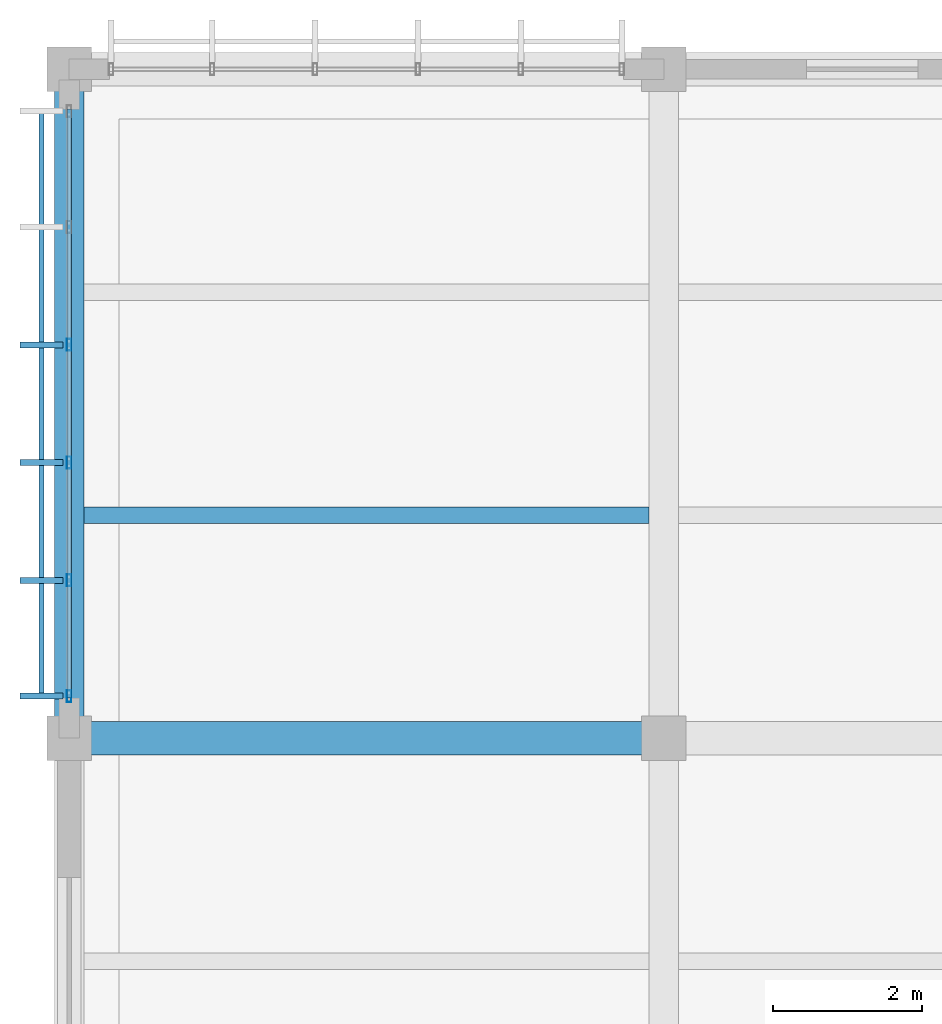
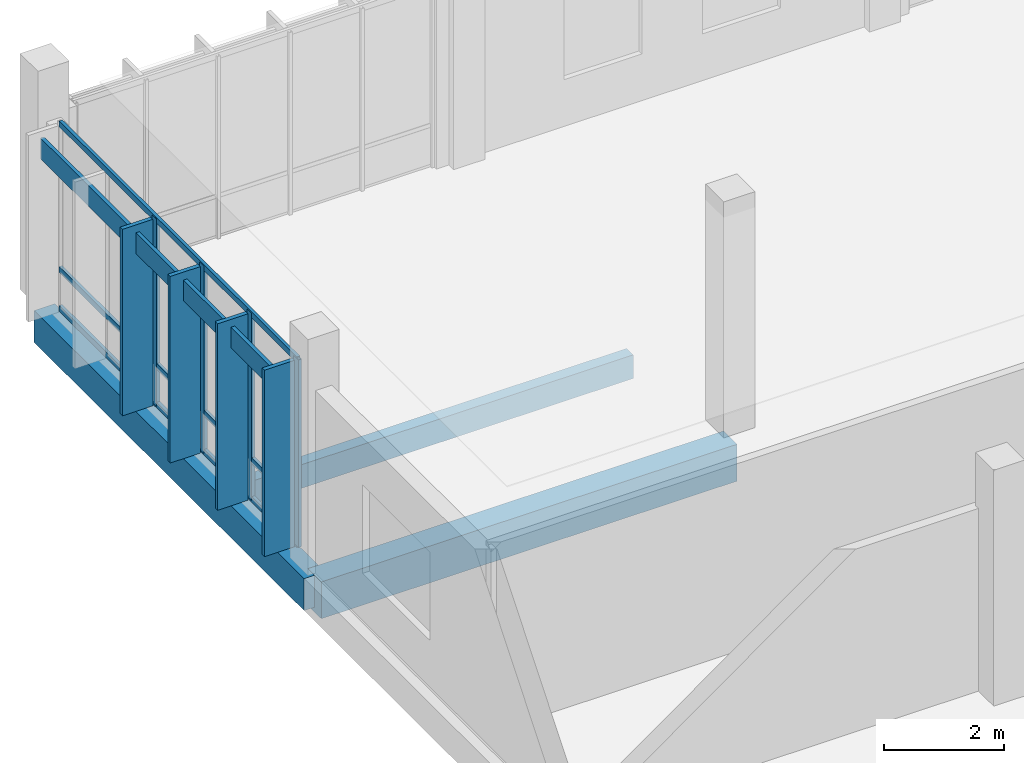
# One storey, part 77 of 177: 12 members, 3 beams, 1 element without a shape of its own.
"""IFC4 building model written with IfcOpenShell, lengths in metres."""

from ifc_helpers import new_model, si_unit, direction, frame, origin, origin_2d, place, context, subcontext, project, spatial, rectangle, hollow_rectangle, extrude, material, material_profile, profile_set, type_object, element, aggregate, save


model = new_model("IFC4")

# Units and contexts
model_context = context("Model", 3, precision=1e-05, world=origin(), true_north=direction((0.0, 1.0)))
body_context = subcontext(model_context, "Body", "Model", "MODEL_VIEW")
ifc_project = project(units=[si_unit("LENGTHUNIT", "METRE"), si_unit("AREAUNIT", "SQUARE_METRE"), si_unit("VOLUMEUNIT", "CUBIC_METRE"), si_unit("PLANEANGLEUNIT", "RADIAN"), si_unit("MASSUNIT", "GRAM", prefix="KILO")], contexts=[model_context])

# Site, building, storey
site_placement = place(None, origin())
site = spatial("IfcSite", under=ifc_project, at=site_placement, CompositionType="ELEMENT")
building_placement = place(site_placement, origin())
building = spatial("IfcBuilding", under=site, at=building_placement, Name="Chiffa Square Polytechnic", CompositionType="ELEMENT")
storey_placement = place(building_placement, frame((0.0, 0.0, 4.800048828125)))
storey = spatial("IfcBuildingStorey", under=building, at=storey_placement, Name="L01", CompositionType="ELEMENT", Elevation=4.800048828125)

# Beams
ifc_material_1 = material(Name="Concrete C35/45", Category="concrete")
ifc_material_profile_1 = material_profile(ifc_material_1, rectangle(XDim=0.39990234375, YDim=0.64990234375, at=origin_2d()), Name="RC 400x650")
ifc_profile_set_1 = profile_set([ifc_material_profile_1], Name="Concrete C35/45")
beam_type_1 = type_object("IfcBeamType", Name="BM-RC-400X650", PredefinedType="BEAM", material=ifc_profile_set_1)
beam_1_placement = place(storey_placement, frame((0.0, 121.800048828125, -0.60498046875), z_axis=(0.0, 1.0, 0.0), x_axis=(-1.0, 0.0, 0.0)))
element("IfcBeam", 1, at=beam_1_placement, inside=storey, type_object=beam_type_1, Name="Primary floor girder BM-V5-L01-Y-0000-1218", PredefinedType="BEAM", context=body_context, shape_type="SweptSolid", body=[
    extrude(rectangle(XDim=0.39990234375, YDim=0.64990234375, at=origin_2d()), origin(), (0.0, 0.0, 1.0), 9.0),
])
ifc_material_profile_2 = material_profile(ifc_material_1, rectangle(XDim=0.449951171875, YDim=0.75, at=origin_2d()), Name="RC 450x750")
ifc_profile_set_2 = profile_set([ifc_material_profile_2], Name="Concrete C35/45")
beam_type_2 = type_object("IfcBeamType", Name="BM-RC-450X750", PredefinedType="BEAM", material=ifc_profile_set_2)
beam_2_placement = place(storey_placement, frame((0.0, 121.800048828125, -0.655029296875), z_axis=(1.0, 0.0, 0.0), x_axis=(0.0, 1.0, 0.0)))
element("IfcBeam", 2, at=beam_2_placement, inside=storey, type_object=beam_type_2, Name="Primary floor girder BM-V5-L01-X-0000-1218", PredefinedType="BEAM", context=body_context, shape_type="SweptSolid", body=[
    extrude(rectangle(XDim=0.449951171875, YDim=0.75, at=origin_2d()), origin(), (0.0, 0.0, 1.0), 8.0),
])

# Curtain wall, members
ifc_material_2 = material(Name="Aluminium EN AW-6060 T66 and glulam shading", Category="wood")
curtain_wall_type = type_object("IfcCurtainWallType", Name="CW-VERT-300X380", PredefinedType="USERDEFINED", material=ifc_material_2)
curtain_wall_placement = place(storey_placement, origin())
curtain_wall = element("IfcCurtainWall", 3, at=curtain_wall_placement, inside=storey, type_object=curtain_wall_type, Name="Curtain wall CW-V5-L01-211", ObjectType="CURTAIN WALL", PredefinedType="USERDEFINED")
ifc_material_3 = material(Name="Aluminium EN AW-6060 T66", Category="aluminium")
ifc_material_profile_3 = material_profile(ifc_material_3, hollow_rectangle(XDim=0.06005859375, YDim=0.159912109375, WallThickness=0.00390625, at=origin_2d()), Name="ALU 60x160x4")
ifc_profile_set_3 = profile_set([ifc_material_profile_3], Name="Aluminium EN AW-6060 T66")
member_type_1 = type_object("IfcMemberType", Name="CWM-ALU-65X150", PredefinedType="MULLION", material=ifc_profile_set_3)
member_1_placement = place(storey_placement, frame((0.0, 127.092041015625, 0.0), z_axis=(0.0, 0.0, 1.0), x_axis=(1.0, 0.0, 0.0)))
member_1 = element("IfcMember", 4, at=member_1_placement, type_object=member_type_1, Name="Curtain wall mullion CW-V5-L01-211-M02", PredefinedType="MULLION", context=body_context, shape_type="SweptSolid", body=[
    extrude(hollow_rectangle(XDim=0.06005859375, YDim=0.159912109375, WallThickness=0.00390625, at=origin_2d()), origin(), (0.0, 0.0, 1.0), 3.81494140625),
])
member_2_placement = place(storey_placement, frame((0.0, 125.508056640625, 0.0), z_axis=(0.0, 0.0, 1.0), x_axis=(1.0, 0.0, 0.0)))
member_2 = element("IfcMember", 5, at=member_2_placement, type_object=member_type_1, Name="Curtain wall mullion CW-V5-L01-211-M03", PredefinedType="MULLION", context=body_context, shape_type="SweptSolid", body=[
    extrude(hollow_rectangle(XDim=0.06005859375, YDim=0.159912109375, WallThickness=0.00390625, at=origin_2d()), origin(), (0.0, 0.0, 1.0), 3.81494140625),
])
member_3_placement = place(storey_placement, frame((0.0, 123.924072265625, 0.0), z_axis=(0.0, 0.0, 1.0), x_axis=(1.0, 0.0, 0.0)))
member_3 = element("IfcMember", 6, at=member_3_placement, type_object=member_type_1, Name="Curtain wall mullion CW-V5-L01-211-M04", PredefinedType="MULLION", context=body_context, shape_type="SweptSolid", body=[
    extrude(hollow_rectangle(XDim=0.06005859375, YDim=0.159912109375, WallThickness=0.00390625, at=origin_2d()), origin(), (0.0, 0.0, 1.0), 3.81494140625),
])
member_4_placement = place(storey_placement, frame((0.0, 122.364990234375, 0.0), z_axis=(0.0, 0.0, 1.0), x_axis=(1.0, 0.0, 0.0)))
member_4 = element("IfcMember", 7, at=member_4_placement, type_object=member_type_1, Name="Curtain wall mullion CW-V5-L01-211-M05", PredefinedType="MULLION", context=body_context, shape_type="SweptSolid", body=[
    extrude(hollow_rectangle(XDim=0.06005859375, YDim=0.159912109375, WallThickness=0.00390625, at=origin_2d()), origin(), (0.0, 0.0, 1.0), 3.81494140625),
])
ifc_material_4 = material(Name="Glulam GL28h", Category="wood")
ifc_material_profile_4 = material_profile(ifc_material_4, rectangle(XDim=0.080078125, YDim=0.580078125, at=origin_2d()), Name="GL28h 80x580")
ifc_profile_set_4 = profile_set([ifc_material_profile_4], Name="Glulam GL28h")
member_type_2 = type_object("IfcMemberType", Name="CWM-GL-80X580", PredefinedType="MULLION", material=ifc_profile_set_4)
member_5_placement = place(storey_placement, frame((-0.3720703125, 127.092041015625, 0.010009765625), z_axis=(0.0, 0.0, 1.0), x_axis=(0.0, -1.0, 0.0)))
member_5 = element("IfcMember", 8, at=member_5_placement, type_object=member_type_2, Name="Exterior glulam solar fin CW-V5-L01-211-FN02", PredefinedType="MULLION", context=body_context, shape_type="SweptSolid", body=[
    extrude(rectangle(XDim=0.080078125, YDim=0.580078125, at=origin_2d()), origin(), (0.0, 0.0, 1.0), 3.794921875),
])
member_6_placement = place(storey_placement, frame((-0.3720703125, 125.508056640625, 0.010009765625), z_axis=(0.0, 0.0, 1.0), x_axis=(0.0, -1.0, 0.0)))
member_6 = element("IfcMember", 9, at=member_6_placement, type_object=member_type_2, Name="Exterior glulam solar fin CW-V5-L01-211-FN03", PredefinedType="MULLION", context=body_context, shape_type="SweptSolid", body=[
    extrude(rectangle(XDim=0.080078125, YDim=0.580078125, at=origin_2d()), origin(), (0.0, 0.0, 1.0), 3.794921875),
])
member_7_placement = place(storey_placement, frame((-0.3720703125, 123.924072265625, 0.010009765625), z_axis=(0.0, 0.0, 1.0), x_axis=(0.0, -1.0, 0.0)))
member_7 = element("IfcMember", 10, at=member_7_placement, type_object=member_type_2, Name="Exterior glulam solar fin CW-V5-L01-211-FN04", PredefinedType="MULLION", context=body_context, shape_type="SweptSolid", body=[
    extrude(rectangle(XDim=0.080078125, YDim=0.580078125, at=origin_2d()), origin(), (0.0, 0.0, 1.0), 3.794921875),
])
member_8_placement = place(storey_placement, frame((-0.3720703125, 122.364990234375, 0.010009765625), z_axis=(0.0, 0.0, 1.0), x_axis=(0.0, -1.0, 0.0)))
member_8 = element("IfcMember", 11, at=member_8_placement, type_object=member_type_2, Name="Exterior glulam solar fin CW-V5-L01-211-FN05", PredefinedType="MULLION", context=body_context, shape_type="SweptSolid", body=[
    extrude(rectangle(XDim=0.080078125, YDim=0.580078125, at=origin_2d()), origin(), (0.0, 0.0, 1.0), 3.794921875),
])
ifc_material_profile_5 = material_profile(ifc_material_3, hollow_rectangle(XDim=0.06005859375, YDim=0.1201171875, WallThickness=0.00390625, at=origin_2d()), Name="ALU 60x120x4")
ifc_profile_set_5 = profile_set([ifc_material_profile_5], Name="Aluminium EN AW-6060 T66")
member_type_3 = type_object("IfcMemberType", Name="CWT-ALU-65X120", PredefinedType="USERDEFINED", material=ifc_profile_set_5)
member_9_placement = place(storey_placement, frame((0.0, 130.261962890625, 0.030029296875), z_axis=(0.0, -1.0, 0.0), x_axis=(1.0, 0.0, 0.0)))
member_9 = element("IfcMember", 12, at=member_9_placement, type_object=member_type_3, Name="Curtain wall transom CW-V5-L01-211-T01", ObjectType="TRANSOM", PredefinedType="USERDEFINED", context=body_context, shape_type="SweptSolid", body=[
    extrude(hollow_rectangle(XDim=0.06005859375, YDim=0.1201171875, WallThickness=0.00390625, at=origin_2d()), origin(), (0.0, 0.0, 1.0), 7.924072265625),
])
member_10_placement = place(storey_placement, frame((0.0, 130.261962890625, 0.820068359375), z_axis=(0.0, -1.0, 0.0), x_axis=(1.0, 0.0, 0.0)))
member_10 = element("IfcMember", 13, at=member_10_placement, type_object=member_type_3, Name="Curtain wall transom CW-V5-L01-211-T02", ObjectType="TRANSOM", PredefinedType="USERDEFINED", context=body_context, shape_type="SweptSolid", body=[
    extrude(hollow_rectangle(XDim=0.06005859375, YDim=0.1201171875, WallThickness=0.00390625, at=origin_2d()), origin(), (0.0, 0.0, 1.0), 7.924072265625),
])
member_11_placement = place(storey_placement, frame((0.0, 130.261962890625, 3.784912109375), z_axis=(0.0, -1.0, 0.0), x_axis=(1.0, 0.0, 0.0)))
member_11 = element("IfcMember", 14, at=member_11_placement, type_object=member_type_3, Name="Curtain wall transom CW-V5-L01-211-T03", ObjectType="TRANSOM", PredefinedType="USERDEFINED", context=body_context, shape_type="SweptSolid", body=[
    extrude(hollow_rectangle(XDim=0.06005859375, YDim=0.1201171875, WallThickness=0.00390625, at=origin_2d()), origin(), (0.0, 0.0, 1.0), 7.924072265625),
])
ifc_material_profile_6 = material_profile(ifc_material_4, rectangle(XDim=0.070068359375, YDim=0.419921875, at=origin_2d()), Name="GL28h 70x420")
ifc_profile_set_6 = profile_set([ifc_material_profile_6], Name="Glulam GL28h")
member_type_4 = type_object("IfcMemberType", Name="CWT-GL-70X420", PredefinedType="USERDEFINED", material=ifc_profile_set_6)
member_12_placement = place(storey_placement, frame((-0.3720703125, 130.235107421875, 3.43505859375), z_axis=(0.0, -1.0, 0.0), x_axis=(1.0, 0.0, 0.0)))
member_12 = element("IfcMember", 15, at=member_12_placement, type_object=member_type_4, Name="Exterior glulam brise-soleil CW-V5-L01-211-BS01", ObjectType="TRANSOM", PredefinedType="USERDEFINED", context=body_context, shape_type="SweptSolid", body=[
    extrude(rectangle(XDim=0.070068359375, YDim=0.419921875, at=origin_2d()), origin(), (0.0, 0.0, 1.0), 7.8701171875),
])
aggregate(curtain_wall, [member_1, member_5, member_2, member_6, member_3, member_7, member_4, member_8, member_9, member_10, member_11, member_12])

# Beam
ifc_material_profile_7 = material_profile(ifc_material_4, rectangle(XDim=0.219970703125, YDim=0.47998046875, at=origin_2d()), Name="GL28h 220x480")
ifc_profile_set_7 = profile_set([ifc_material_profile_7], Name="Glulam GL28h")
beam_type_3 = type_object("IfcBeamType", Name="JST-GL-220X480", PredefinedType="JOIST", material=ifc_profile_set_7)
beam_3_placement = place(storey_placement, frame((0.197998046875, 124.800048828125, -0.52001953125), z_axis=(1.0, 0.0, 0.0), x_axis=(0.0, 1.0, 0.0)))
element("IfcBeam", 16, at=beam_3_placement, inside=storey, type_object=beam_type_3, Name="Secondary floor joist JST-V5-L01-0000-1248", PredefinedType="JOIST", context=body_context, shape_type="SweptSolid", body=[
    extrude(rectangle(XDim=0.219970703125, YDim=0.47998046875, at=origin_2d()), origin(), (0.0, 0.0, 1.0), 7.60400390625),
])

save(model, "model.ifc")
